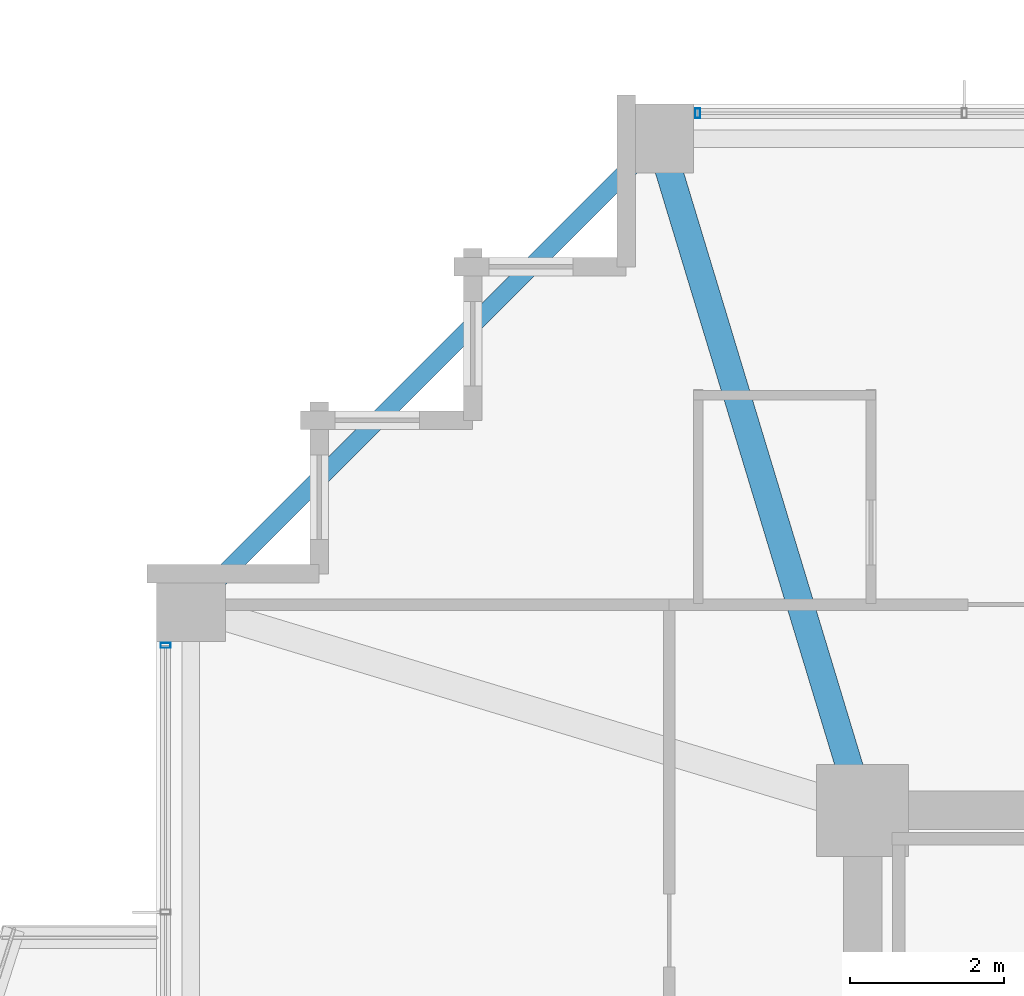
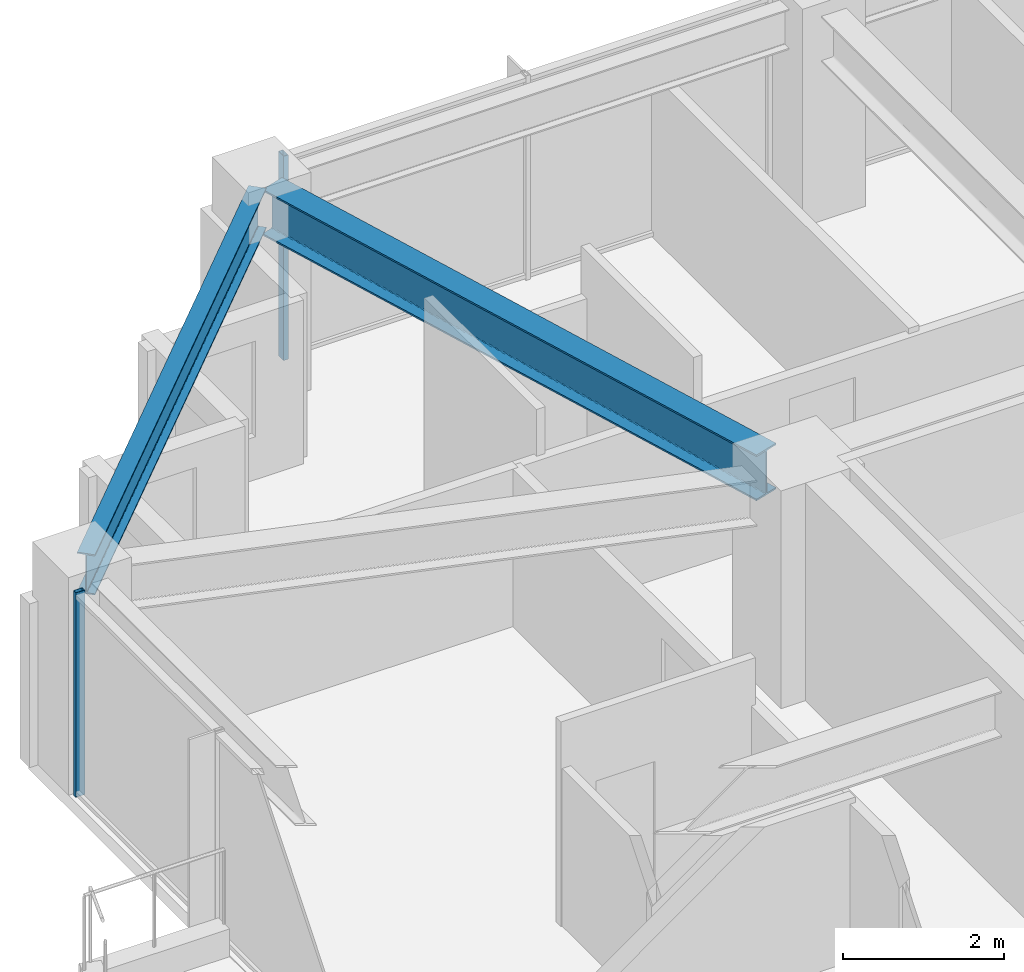
# One storey, part 19 of 37: 2 beams, 2 members, 2 elements without a shape of their own.
"""IFC4 building model written with IfcOpenShell, lengths in metres."""

from ifc_helpers import new_model, si_unit, direction, frame, origin, origin_2d, place, context, subcontext, project, spatial, hollow_rectangle, i_section, extrude, material, material_profile, profile_set, type_object, element, aggregate, save


model = new_model("IFC4")

# Units and contexts
model_context = context("Model", 3, precision=1e-05, world=origin(), true_north=direction((0.0, 1.0)))
body_context = subcontext(model_context, "Body", "Model", "MODEL_VIEW")
ifc_project = project(units=[si_unit("LENGTHUNIT", "METRE"), si_unit("AREAUNIT", "SQUARE_METRE"), si_unit("VOLUMEUNIT", "CUBIC_METRE"), si_unit("PLANEANGLEUNIT", "RADIAN"), si_unit("MASSUNIT", "GRAM", prefix="KILO")], contexts=[model_context])

# Site, building, storey
site_placement = place(None, origin())
site = spatial("IfcSite", under=ifc_project, at=site_placement, CompositionType="ELEMENT")
building_placement = place(site_placement, origin())
building = spatial("IfcBuilding", under=site, at=building_placement, Name="Kolvaren Belvedere", CompositionType="ELEMENT")
storey_placement = place(building_placement, frame((0.0, 0.0, 156.89990234375)))
storey = spatial("IfcBuildingStorey", under=building, at=storey_placement, Name="L45", CompositionType="ELEMENT", Elevation=156.89990234375)

# Beams
ifc_material_1 = material(Name="Structural steel ASTM A992 Grade 50", Category="steel")
ifc_material_profile_1 = material_profile(ifc_material_1, i_section(OverallWidth=0.35498046875, OverallDepth=0.696044921875, WebThickness=0.015380859375, FlangeThickness=0.02490234375, FilletRadius=0.02197265625, at=origin_2d()), Name="W27X146")
ifc_profile_set_1 = profile_set([ifc_material_profile_1], Name="Structural steel ASTM A992 Grade 50")
beam_type_1 = type_object("IfcBeamType", Name="BM-GIRD-W27X146", PredefinedType="BEAM", material=ifc_profile_set_1)
beam_1_placement = place(storey_placement, frame((-10.059326171875, 10.426513671875, 2.752197265625), z_axis=(-0.289865629086, 0.957067352423, 0.0), x_axis=(-0.957067352423, -0.289865629086, 0.0)))
element("IfcBeam", 1, at=beam_1_placement, inside=storey, type_object=beam_type_1, Name="L45 Corner Core-to-Perimeter Girder CC4-N1", PredefinedType="BEAM", context=body_context, shape_type="SweptSolid", body=[
    extrude(i_section(OverallWidth=0.35498046875, OverallDepth=0.696044921875, WebThickness=0.015380859375, FlangeThickness=0.02490234375, FilletRadius=0.02197265625, at=origin_2d()), origin(), (0.0, 0.0, 1.0), 8.412353515625),
])
ifc_material_2 = material(Name="Structural steel ASTM A992 Grade 50", Category="steel")
ifc_material_profile_2 = material_profile(ifc_material_2, i_section(OverallWidth=0.22900390625, OverallDepth=0.612060546875, WebThickness=0.011962890625, FlangeThickness=0.01953125, FilletRadius=0.01806640625, at=origin_2d()), Name="W24X84")
ifc_profile_set_2 = profile_set([ifc_material_profile_2], Name="Structural steel ASTM A992 Grade 50")
beam_type_2 = type_object("IfcBeamType", Name="BM-SPAN-W24X84", PredefinedType="SPANDREL", material=ifc_profile_set_2)
beam_2_placement = place(storey_placement, frame((-12.693115234375, 18.5068359375, 2.794189453125), z_axis=(-0.707106781187, -0.707106781187, 0.0), x_axis=(0.707106781187, -0.707106781187, 0.0)))
element("IfcBeam", 2, at=beam_2_placement, inside=storey, type_object=beam_type_2, Name="L45 Perimeter Spandrel N1-W4", PredefinedType="SPANDREL", context=body_context, shape_type="SweptSolid", body=[
    extrude(i_section(OverallWidth=0.22900390625, OverallDepth=0.612060546875, WebThickness=0.011962890625, FlangeThickness=0.01953125, FilletRadius=0.01806640625, at=origin_2d()), origin(), (0.0, 0.0, 1.0), 8.221923828125),
])

# Curtain wall, member
ifc_material_3 = material(Name="Anodised pale-metal aluminium AA 6063-T6", Category="aluminium")
curtain_wall_type = type_object("IfcCurtainWallType", Name="CW-Z3-WAIST", PredefinedType="NOTDEFINED", material=ifc_material_3)
curtain_wall_1_placement = place(storey_placement, origin())
curtain_wall_1 = element("IfcCurtainWall", 3, at=curtain_wall_1_placement, inside=storey, type_object=curtain_wall_type, Name="L45 Unitised Curtain Wall FCW-L45-N-B1", PredefinedType="NOTDEFINED")
ifc_material_4 = material(Name="Anodised pale-metal aluminium AA 6063-T6", Category="aluminium")
ifc_material_profile_3 = material_profile(ifc_material_4, hollow_rectangle(XDim=0.06494140625, YDim=0.1298828125, WallThickness=0.00390625, at=origin_2d()), Name="ALU-MUL-130X65")
ifc_profile_set_3 = profile_set([ifc_material_profile_3], Name="Anodised pale-metal aluminium AA 6063-T6")
member_type = type_object("IfcMemberType", Name="CW-MUL-130", PredefinedType="MULLION", material=ifc_profile_set_3)
member_1_placement = place(storey_placement, frame((-12.047607421875, 18.97998046875, 0.0), z_axis=(0.0, 0.0, 1.0), x_axis=(1.0, 0.0, 0.0)))
member_1 = element("IfcMember", 4, at=member_1_placement, type_object=member_type, Name="FCW-L45-N-B1 Unitised Mullion 1", PredefinedType="MULLION", context=body_context, shape_type="SweptSolid", body=[
    extrude(hollow_rectangle(XDim=0.06494140625, YDim=0.1298828125, WallThickness=0.00390625, at=origin_2d()), origin(), (0.0, 0.0, 1.0), 3.10009765625),
])
aggregate(curtain_wall_1, [member_1])

curtain_wall_2_placement = place(storey_placement, origin())
curtain_wall_2 = element("IfcCurtainWall", 5, at=curtain_wall_2_placement, inside=storey, type_object=curtain_wall_type, Name="L45 Unitised Curtain Wall FCW-L45-W2-B2", PredefinedType="NOTDEFINED")
member_2_placement = place(storey_placement, frame((-18.97998046875, 12.047607421875, 0.0), z_axis=(0.0, 0.0, 1.0), x_axis=(0.0, 1.0, 0.0)))
member_2 = element("IfcMember", 6, at=member_2_placement, type_object=member_type, Name="FCW-L45-W2-B2 Unitised Mullion 3", PredefinedType="MULLION", context=body_context, shape_type="SweptSolid", body=[
    extrude(hollow_rectangle(XDim=0.06494140625, YDim=0.1298828125, WallThickness=0.00390625, at=origin_2d()), origin(), (0.0, 0.0, 1.0), 3.10009765625),
])
aggregate(curtain_wall_2, [member_2])

save(model, "model.ifc")
